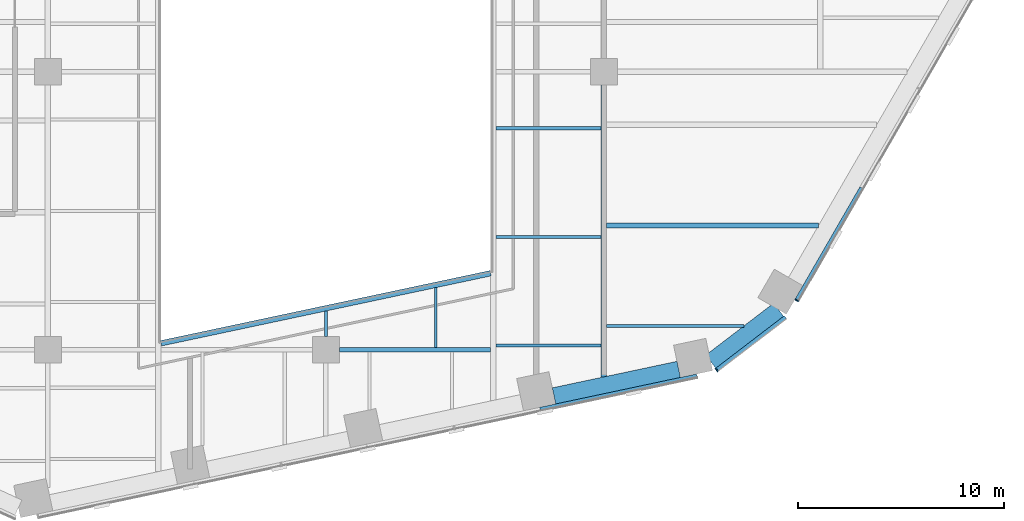
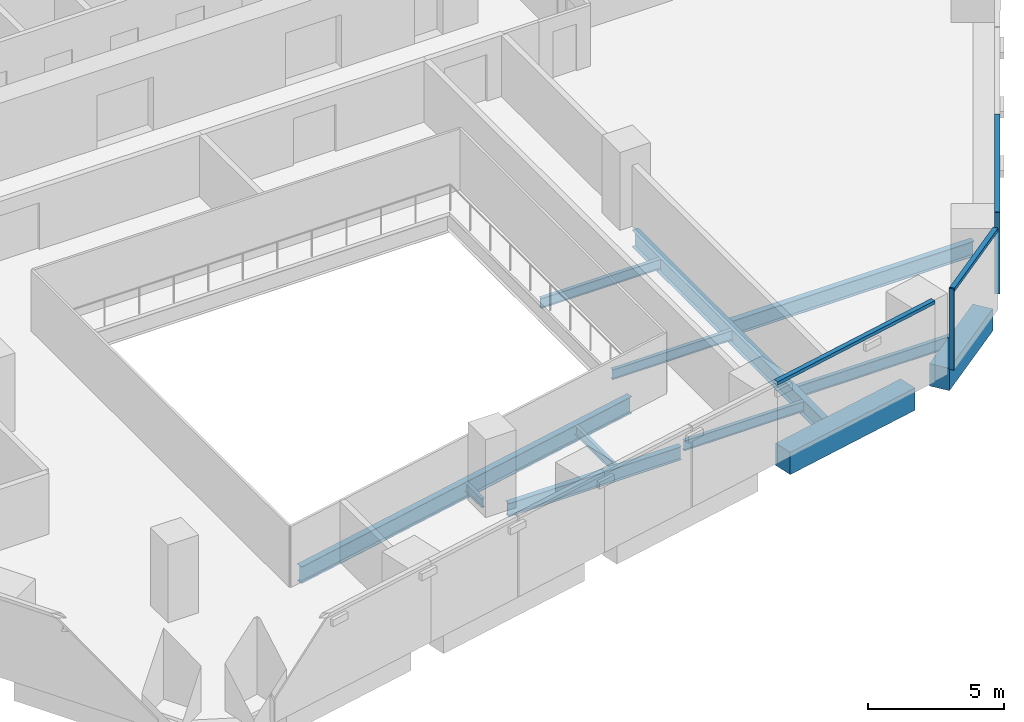
# One storey, part 5 of 21: 12 beams, 5 members, 3 elements without a shape of their own.
"""IFC4 building model written with IfcOpenShell, lengths in metres."""

from ifc_helpers import new_model, si_unit, direction, frame, origin, origin_2d, place, context, subcontext, project, spatial, rectangle, i_section, extrude, material, layer, layer_set, material_profile, profile_set, type_object, element, aggregate, save


model = new_model("IFC4")

# Units and contexts
model_context = context("Model", 3, precision=1e-05, world=origin(), true_north=direction((0.0, 1.0)))
body_context = subcontext(model_context, "Body", "Model", "MODEL_VIEW")
ifc_project = project(units=[si_unit("LENGTHUNIT", "METRE"), si_unit("AREAUNIT", "SQUARE_METRE"), si_unit("VOLUMEUNIT", "CUBIC_METRE"), si_unit("PLANEANGLEUNIT", "RADIAN"), si_unit("MASSUNIT", "GRAM", prefix="KILO")], contexts=[model_context])

# Site, building, storey
site_placement = place(None, origin())
site = spatial("IfcSite", under=ifc_project, at=site_placement, CompositionType="ELEMENT")
building_placement = place(site_placement, origin())
building = spatial("IfcBuilding", under=site, at=building_placement, Name="Isthmus Gate Tower", CompositionType="ELEMENT")
storey_placement = place(building_placement, frame((0.0, 0.0, 109.85009765625)))
storey = spatial("IfcBuildingStorey", under=building, at=storey_placement, Name="L26", CompositionType="ELEMENT", Elevation=109.85009765625)

# Curtain wall, member
ifc_material_1 = material(Name="Aluminium, pale champagne anodised", Category="aluminium")
ifc_layer = layer(ifc_material_1, 0.199951171875)
ifc_layer_set = layer_set([ifc_layer], Name="CW-1 UNITISED CURTAIN WALL 200 DEEP")
curtain_wall_type = type_object("IfcCurtainWallType", Name="CW-1 UNITISED CURTAIN WALL 200 DEEP", PredefinedType="NOTDEFINED", material=ifc_layer_set)
curtain_wall_1_placement = place(storey_placement, origin())
curtain_wall_1 = element("IfcCurtainWall", 1, at=curtain_wall_1_placement, inside=storey, type_object=curtain_wall_type, Name="CW-1 S-SE L26", PredefinedType="NOTDEFINED")
ifc_material_2 = material(Name="Aluminium, pale champagne anodised", Category="aluminium")
ifc_material_profile_1 = material_profile(ifc_material_2, rectangle(XDim=0.06005859375, YDim=0.199951171875, at=origin_2d()), Name="60x200")
ifc_profile_set_1 = profile_set([ifc_material_profile_1], Name="Aluminium, pale champagne anodised")
member_type_1 = type_object("IfcMemberType", Name="CW-1 MULLION 60 X 200", PredefinedType="MULLION", material=ifc_profile_set_1)
member_1_placement = place(storey_placement, frame((18.978759765625, -27.982421875, 0.0), z_axis=(0.0, 0.0, 1.0), x_axis=(0.794188594387, 0.607671355706, 0.0)))
member_1 = element("IfcMember", 2, at=member_1_placement, type_object=member_type_1, Name="CW-1 mullion", PredefinedType="MULLION", context=body_context, shape_type="SweptSolid", body=[
    extrude(rectangle(XDim=0.06005859375, YDim=0.199951171875, at=origin_2d()), origin(), (0.0, 0.0, 1.0), 3.64990234375),
])

curtain_wall_2_placement = place(storey_placement, origin())
curtain_wall_2 = element("IfcCurtainWall", 3, at=curtain_wall_2_placement, inside=storey, type_object=curtain_wall_type, Name="CW-1 SE L26", PredefinedType="NOTDEFINED")
member_2_placement = place(storey_placement, frame((22.863525390625, -24.599365234375, 0.0), z_axis=(0.0, 0.0, 1.0), x_axis=(0.5, 0.866025403784, 0.0)))
member_2 = element("IfcMember", 4, at=member_2_placement, type_object=member_type_1, Name="CW-1 mullion", PredefinedType="MULLION", context=body_context, shape_type="SweptSolid", body=[
    extrude(rectangle(XDim=0.06005859375, YDim=0.199951171875, at=origin_2d()), origin(), (0.0, 0.0, 1.0), 3.64990234375),
])

curtain_wall_3_placement = place(storey_placement, origin())
curtain_wall_3 = element("IfcCurtainWall", 5, at=curtain_wall_3_placement, inside=storey, type_object=curtain_wall_type, Name="CW-1 S L26", PredefinedType="NOTDEFINED")
ifc_material_3 = material(Name="Aluminium, pale champagne anodised", Category="aluminium")
ifc_material_profile_2 = material_profile(ifc_material_3, rectangle(XDim=0.199951171875, YDim=0.14990234375, at=origin_2d()), Name="200x150")
ifc_profile_set_2 = profile_set([ifc_material_profile_2], Name="Aluminium, pale champagne anodised")
member_type_2 = type_object("IfcMemberType", Name="CW-1 TRANSOM 200 X 150", PredefinedType="USERDEFINED", material=ifc_profile_set_2)
member_3_placement = place(storey_placement, frame((10.400146484375, -29.8916015625, 3.574951171875), z_axis=(0.978150565745, 0.207897741047, 0.0), x_axis=(-0.207897741047, 0.978150565745, 0.0)))
member_3 = element("IfcMember", 6, at=member_3_placement, type_object=member_type_2, Name="CW-1 transom", ObjectType="TRANSOM", PredefinedType="USERDEFINED", context=body_context, shape_type="SweptSolid", body=[
    extrude(rectangle(XDim=0.199951171875, YDim=0.14990234375, at=origin_2d()), origin(), (0.0, 0.0, 1.0), 7.789306640625),
])
aggregate(curtain_wall_3, [member_3])

# Member
member_4_placement = place(storey_placement, frame((19.002685546875, -27.96435546875, 3.574951171875), z_axis=(0.794175498212, 0.607688471209, 0.0), x_axis=(-0.607688471209, 0.794175498212, 0.0)))
member_4 = element("IfcMember", 7, at=member_4_placement, type_object=member_type_2, Name="CW-1 transom", ObjectType="TRANSOM", PredefinedType="USERDEFINED", context=body_context, shape_type="SweptSolid", body=[
    extrude(rectangle(XDim=0.199951171875, YDim=0.14990234375, at=origin_2d()), origin(), (0.0, 0.0, 1.0), 4.181396484375),
])

aggregate(curtain_wall_1, [member_1, member_4])

member_5_placement = place(storey_placement, frame((22.87841796875, -24.5732421875, 3.574951171875), z_axis=(0.50002426866, 0.866011391814, 0.0), x_axis=(-0.866011391814, 0.50002426866, 0.0)))
member_5 = element("IfcMember", 8, at=member_5_placement, type_object=member_type_2, Name="CW-1 transom", ObjectType="TRANSOM", PredefinedType="USERDEFINED", context=body_context, shape_type="SweptSolid", body=[
    extrude(rectangle(XDim=0.199951171875, YDim=0.14990234375, at=origin_2d()), origin(), (0.0, 0.0, 1.0), 6.278564453125),
])

aggregate(curtain_wall_2, [member_2, member_5])

# Beams
ifc_material_4 = material(Name="Concrete f'c 70 MPa", Category="concrete")
ifc_material_profile_3 = material_profile(ifc_material_4, rectangle(XDim=0.800048828125, YDim=1.0, at=origin_2d()), Name="RC 800X1000")
ifc_profile_set_3 = profile_set([ifc_material_profile_3], Name="Concrete f'c 70 MPa")
beam_type_1 = type_object("IfcBeamType", Name="RC SPANDREL 800 X 1000", PredefinedType="SPANDREL", material=ifc_profile_set_3)
beam_1_placement = place(storey_placement, frame((21.98681640625, -25.051513671875, -0.5), z_axis=(-0.794205941875, -0.607648682949, 0.0), x_axis=(0.607648682949, -0.794205941875, 0.0)))
element("IfcBeam", 9, at=beam_1_placement, inside=storey, type_object=beam_type_1, Name="str-spandrel-L26-09", PredefinedType="SPANDREL", context=body_context, shape_type="SweptSolid", body=[
    extrude(rectangle(XDim=0.800048828125, YDim=1.0, at=origin_2d()), origin(), (0.0, 0.0, 1.0), 4.15234375),
])
beam_2_placement = place(storey_placement, frame((17.1328125, -27.949462890625, -0.5), z_axis=(-0.978147421176, -0.207912535568, 0.0), x_axis=(0.207912535568, -0.978147421176, 0.0)))
element("IfcBeam", 10, at=beam_2_placement, inside=storey, type_object=beam_type_1, Name="str-spandrel-L26-10", PredefinedType="SPANDREL", context=body_context, shape_type="SweptSolid", body=[
    extrude(rectangle(XDim=0.800048828125, YDim=1.0, at=origin_2d()), origin(), (0.0, 0.0, 1.0), 6.189453125),
])
ifc_material_5 = material(Name="Structural steel ASTM A992 Gr 50", Category="steel")
ifc_material_profile_4 = material_profile(ifc_material_5, i_section(OverallWidth=0.1396484375, OverallDepth=0.4033203125, WebThickness=0.00634765625, FlangeThickness=0.010986328125, at=origin_2d()), Name="W16X31")
ifc_profile_set_4 = profile_set([ifc_material_profile_4], Name="Structural steel ASTM A992 Gr 50")
beam_type_2 = type_object("IfcBeamType", Name="STEEL FLOOR BEAM W16X31", PredefinedType="JOIST", material=ifc_profile_set_4)
beam_3_placement = place(storey_placement, frame((0.0, -26.35009765625, -0.351806640625), z_axis=(0.0, 1.0, 0.0), x_axis=(-1.0, 0.0, 0.0)))
element("IfcBeam", 11, at=beam_3_placement, inside=storey, type_object=beam_type_2, Name="str-beam-L26-18-00", PredefinedType="JOIST", context=body_context, shape_type="SweptSolid", body=[
    extrude(i_section(OverallWidth=0.1396484375, OverallDepth=0.4033203125, WebThickness=0.00634765625, FlangeThickness=0.010986328125, at=origin_2d()), origin(), (0.0, 0.0, 1.0), 1.23388671875),
])
beam_4_placement = place(storey_placement, frame((5.333251953125, -26.8857421875, -0.351806640625), z_axis=(0.0, 1.0, 0.0), x_axis=(-1.0, 0.0, 0.0)))
element("IfcBeam", 12, at=beam_4_placement, inside=storey, type_object=beam_type_2, Name="str-beam-L26-18-01", PredefinedType="JOIST", context=body_context, shape_type="SweptSolid", body=[
    extrude(i_section(OverallWidth=0.1396484375, OverallDepth=0.4033203125, WebThickness=0.00634765625, FlangeThickness=0.010986328125, at=origin_2d()), origin(), (0.0, 0.0, 1.0), 2.903076171875),
])
ifc_material_6 = material(Name="Structural steel ASTM A992 Gr 50", Category="steel")
ifc_material_profile_5 = material_profile(ifc_material_6, i_section(OverallWidth=0.15234375, OverallDepth=0.45068359375, WebThickness=0.0078125, FlangeThickness=0.010986328125, at=origin_2d()), Name="W18X35")
ifc_profile_set_5 = profile_set([ifc_material_profile_5], Name="Structural steel ASTM A992 Gr 50")
beam_type_3 = type_object("IfcBeamType", Name="STEEL FLOOR BEAM W18X35", PredefinedType="JOIST", material=ifc_profile_set_5)
for number, where, z_axis, x_axis, name in (
    (13, (8.263427734375, -26.788818359375, -0.37548828125), (1.0, 0.0, 0.0), (0.0, 1.0, 0.0), "str-beam-L26-23-00"),
    (14, (8.263427734375, -21.51513671875, -0.37548828125), (1.0, 0.0, 0.0), (0.0, 1.0, 0.0), "str-beam-L26-23-01"),
    (15, (8.263427734375, -16.241455078125, -0.37548828125), (1.0, 0.0, 0.0), (0.0, 1.0, 0.0), "str-beam-L26-23-02"),
):
    element("IfcBeam", number, at=place(storey_placement, frame(where, z_axis=z_axis, x_axis=x_axis)), inside=storey, type_object=beam_type_3, Name=name, PredefinedType="JOIST", context=body_context, shape_type="SweptSolid", body=[
        extrude(i_section(OverallWidth=0.15234375, OverallDepth=0.45068359375, WebThickness=0.0078125, FlangeThickness=0.010986328125, at=origin_2d()), origin(), (0.0, 0.0, 1.0), 5.103271484375),
    ])
ifc_material_7 = material(Name="Structural steel ASTM A992 Gr 50", Category="steel")
ifc_material_profile_6 = material_profile(ifc_material_7, i_section(OverallWidth=0.1650390625, OverallDepth=0.52392578125, WebThickness=0.009521484375, FlangeThickness=0.010986328125, at=origin_2d()), Name="W21X44")
ifc_profile_set_6 = profile_set([ifc_material_profile_6], Name="Structural steel ASTM A992 Gr 50")
beam_type_4 = type_object("IfcBeamType", Name="STEEL FLOOR BEAM W21X44", PredefinedType="JOIST", material=ifc_profile_set_6)
beam_5_placement = place(storey_placement, frame((13.63330078125, -25.842529296875, -0.412109375), z_axis=(1.0, 0.0, 0.0), x_axis=(0.0, 1.0, 0.0)))
element("IfcBeam", 16, at=beam_5_placement, inside=storey, type_object=beam_type_4, Name="str-beam-L26-28-00", PredefinedType="JOIST", context=body_context, shape_type="SweptSolid", body=[
    extrude(i_section(OverallWidth=0.1650390625, OverallDepth=0.52392578125, WebThickness=0.009521484375, FlangeThickness=0.010986328125, at=origin_2d()), origin(), (0.0, 0.0, 1.0), 6.661376953125),
])
ifc_material_8 = material(Name="Structural steel ASTM A992 Gr 50", Category="steel")
ifc_material_profile_7 = material_profile(ifc_material_8, i_section(OverallWidth=0.25390625, OverallDepth=0.679443359375, WebThickness=0.010986328125, FlangeThickness=0.015869140625, at=origin_2d()), Name="W27X84")
ifc_profile_set_7 = profile_set([ifc_material_profile_7], Name="Structural steel ASTM A992 Gr 50")
beam_type_5 = type_object("IfcBeamType", Name="STEEL FLOOR BEAM W27X84", PredefinedType="JOIST", material=ifc_profile_set_7)
beam_6_placement = place(storey_placement, frame((13.63330078125, -20.958740234375, -0.48974609375), z_axis=(1.0, 0.0, 0.0), x_axis=(0.0, 1.0, 0.0)))
element("IfcBeam", 17, at=beam_6_placement, inside=storey, type_object=beam_type_5, Name="str-beam-L26-28-01", PredefinedType="JOIST", context=body_context, shape_type="SweptSolid", body=[
    extrude(i_section(OverallWidth=0.25390625, OverallDepth=0.679443359375, WebThickness=0.010986328125, FlangeThickness=0.015869140625, at=origin_2d()), origin(), (0.0, 0.0, 1.0), 10.292724609375),
])
ifc_material_9 = material(Name="Structural steel ASTM A992 Gr 50", Category="steel")
ifc_material_profile_8 = material_profile(ifc_material_9, i_section(OverallWidth=0.228515625, OverallDepth=0.603271484375, WebThickness=0.010986328125, FlangeThickness=0.014404296875, at=origin_2d()), Name="W24X68")
ifc_profile_set_8 = profile_set([ifc_material_profile_8], Name="Structural steel ASTM A992 Gr 50")
beam_type_6 = type_object("IfcBeamType", Name="STEEL GIRDER W24X68", PredefinedType="BEAM", material=ifc_profile_set_8)
beam_7_placement = place(storey_placement, frame((0.64990234375, -27.0, -0.45166015625), z_axis=(1.0, 0.0, 0.0), x_axis=(0.0, 1.0, 0.0)))
element("IfcBeam", 18, at=beam_7_placement, inside=storey, type_object=beam_type_6, Name="str-girder-L26-04", PredefinedType="BEAM", context=body_context, shape_type="SweptSolid", body=[
    extrude(i_section(OverallWidth=0.228515625, OverallDepth=0.603271484375, WebThickness=0.010986328125, FlangeThickness=0.014404296875, at=origin_2d()), origin(), (0.0, 0.0, 1.0), 7.35009765625),
])
ifc_material_10 = material(Name="Structural steel ASTM A992 Gr 50", Category="steel")
ifc_material_profile_9 = material_profile(ifc_material_10, i_section(OverallWidth=0.2666015625, OverallDepth=0.7587890625, WebThickness=0.014404296875, FlangeThickness=0.01904296875, at=origin_2d()), Name="W30X108")
ifc_profile_set_9 = profile_set([ifc_material_profile_9], Name="Structural steel ASTM A992 Gr 50")
beam_type_7 = type_object("IfcBeamType", Name="STEEL GIRDER W30X108", PredefinedType="BEAM", material=ifc_profile_set_9)
beam_8_placement = place(storey_placement, frame((13.5, -28.3125, -0.529541015625), z_axis=(0.0, 1.0, 0.0), x_axis=(-1.0, 0.0, 0.0)))
element("IfcBeam", 19, at=beam_8_placement, inside=storey, type_object=beam_type_7, Name="str-girder-L26-32", PredefinedType="BEAM", context=body_context, shape_type="SweptSolid", body=[
    extrude(i_section(OverallWidth=0.2666015625, OverallDepth=0.7587890625, WebThickness=0.014404296875, FlangeThickness=0.01904296875, at=origin_2d()), origin(), (0.0, 0.0, 1.0), 14.16259765625),
])
ifc_material_11 = material(Name="Structural steel ASTM A992 Gr 50", Category="steel")
ifc_material_profile_10 = material_profile(ifc_material_11, i_section(OverallWidth=0.2666015625, OverallDepth=0.7587890625, WebThickness=0.014404296875, FlangeThickness=0.01904296875, at=origin_2d()), Name="W30X108")
ifc_profile_set_10 = profile_set([ifc_material_profile_10], Name="Structural steel ASTM A992 Gr 50")
beam_type_8 = type_object("IfcBeamType", Name="STEEL TRIMMER W30X108", PredefinedType="BEAM", material=ifc_profile_set_10)
beam_9_placement = place(storey_placement, frame((-8.0, -26.680419921875, -0.529541015625), z_axis=(0.978147924985, 0.20791016533, 0.0), x_axis=(-0.20791016533, 0.978147924985, 0.0)))
element("IfcBeam", 20, at=beam_9_placement, inside=storey, type_object=beam_type_8, Name="str-trimmer-L26-03", PredefinedType="BEAM", context=body_context, shape_type="SweptSolid", body=[
    extrude(i_section(OverallWidth=0.2666015625, OverallDepth=0.7587890625, WebThickness=0.014404296875, FlangeThickness=0.01904296875, at=origin_2d()), origin(), (0.0, 0.0, 1.0), 16.357421875),
])

save(model, "model.ifc")
